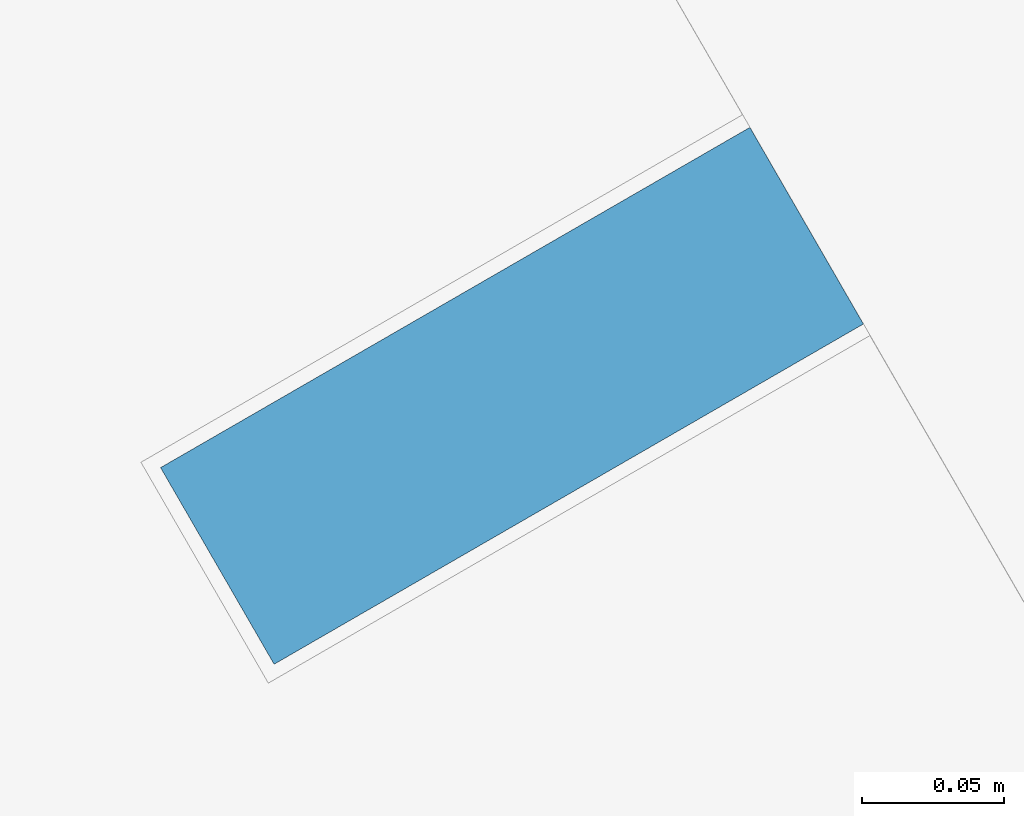
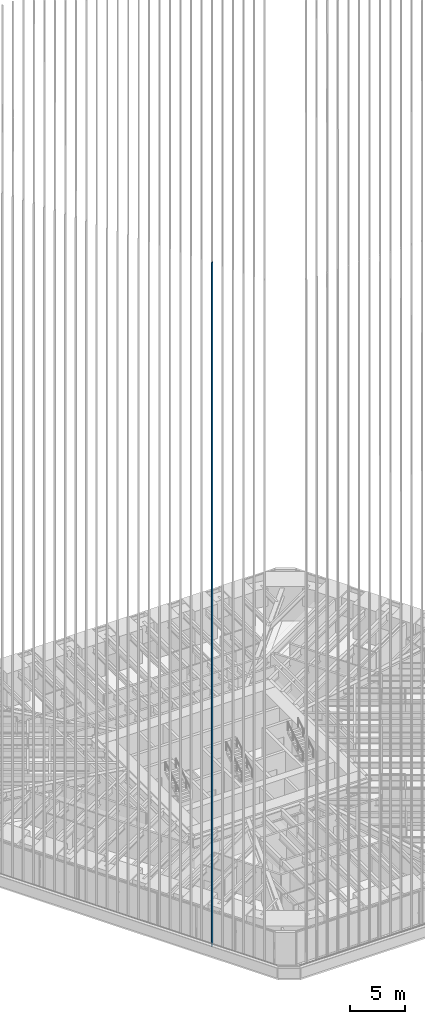
# One storey, part 28 of 238: 1 member, 1 element without a shape of its own.
"""IFC4 building model written with IfcOpenShell, lengths in metres."""

from ifc_helpers import new_model, si_unit, direction, frame, origin, origin_2d, place, context, subcontext, project, spatial, rectangle, extrude, material, material_profile, profile_set, type_object, element, aggregate, save


model = new_model("IFC4")

# Units and contexts
model_context = context("Model", 3, precision=1e-05, world=origin(), true_north=direction((0.0, 1.0)))
body_context = subcontext(model_context, "Body", "Model", "MODEL_VIEW")
ifc_project = project(units=[si_unit("LENGTHUNIT", "METRE"), si_unit("AREAUNIT", "SQUARE_METRE"), si_unit("VOLUMEUNIT", "CUBIC_METRE"), si_unit("PLANEANGLEUNIT", "RADIAN"), si_unit("MASSUNIT", "GRAM", prefix="KILO")], contexts=[model_context])

# Site, building, storey
site_placement = place(None, origin())
site = spatial("IfcSite", under=ifc_project, at=site_placement, CompositionType="ELEMENT")
building_placement = place(site_placement, origin())
building = spatial("IfcBuilding", under=site, at=building_placement, Name="Sandreach Pilgrim Tower", CompositionType="ELEMENT")
storey_placement = place(building_placement, frame((0.0, 0.0, 96.800048828125)))
storey = spatial("IfcBuildingStorey", under=building, at=storey_placement, Name="L23", CompositionType="ELEMENT", Elevation=96.800048828125)

# Curtain wall, member
ifc_material_1 = material(Name="Aluminium framed curtain wall", Category="aluminium")
curtain_wall_type = type_object("IfcCurtainWallType", Name="Hotel tower curtain wall", PredefinedType="NOTDEFINED", material=ifc_material_1)
curtain_wall_placement = place(storey_placement, origin())
curtain_wall = element("IfcCurtainWall", 1, at=curtain_wall_placement, inside=storey, type_object=curtain_wall_type, Name="CW-2 L23 SW", PredefinedType="NOTDEFINED")
ifc_material_2 = material(Name="Extruded terracotta on aluminium core", Category="masonry")
ifc_material_profile = material_profile(ifc_material_2, rectangle(XDim=0.080078125, YDim=0.239990234375, at=origin_2d()), Name="TBW 80X240")
ifc_profile_set = profile_set([ifc_material_profile], Name="Extruded terracotta on aluminium core")
member_type = type_object("IfcMemberType", Name="Terracotta baguette west", PredefinedType="USERDEFINED", material=ifc_profile_set)
member_placement = place(storey_placement, frame((-13.7861328125, -21.94921875, 0.0), z_axis=(0.0, 0.0, 1.0), x_axis=(-0.5, 0.866025403784, 0.0)))
member = element("IfcMember", 2, at=member_placement, type_object=member_type, Name="Baguette Z2 SW06", ObjectType="BAGUETTE", PredefinedType="USERDEFINED", context=body_context, shape_type="SweptSolid", body=[
    extrude(rectangle(XDim=0.080078125, YDim=0.239990234375, at=origin_2d()), origin(), (0.0, 0.0, 1.0), 75.83984375),
])
aggregate(curtain_wall, [member])

save(model, "model.ifc")
